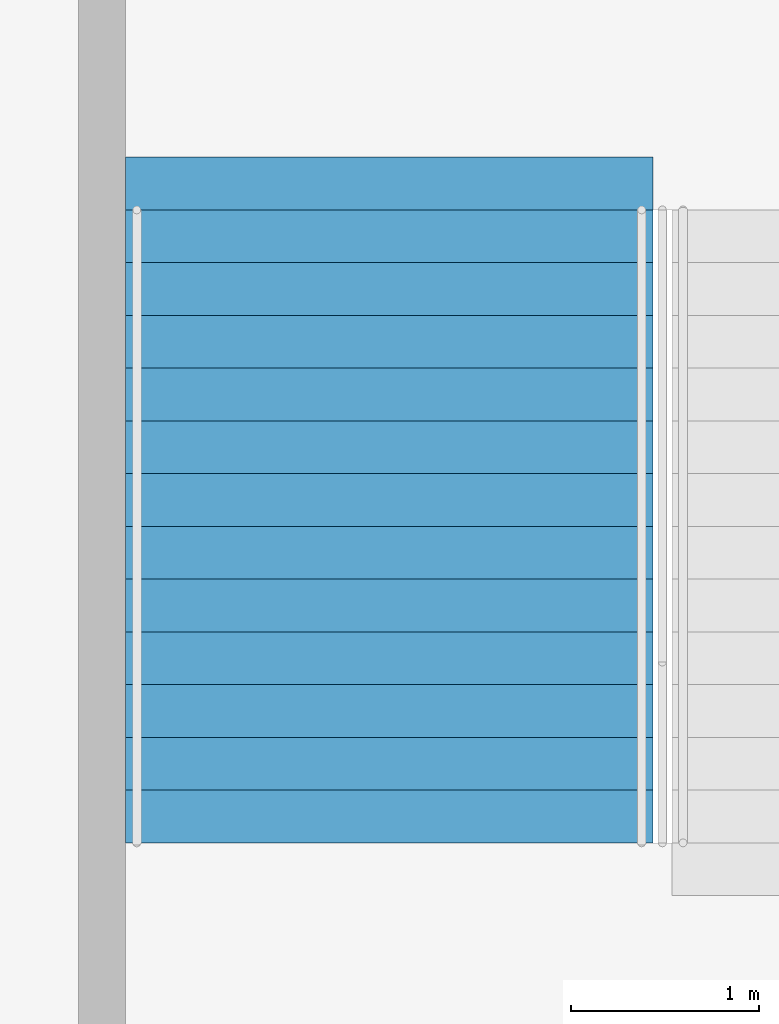
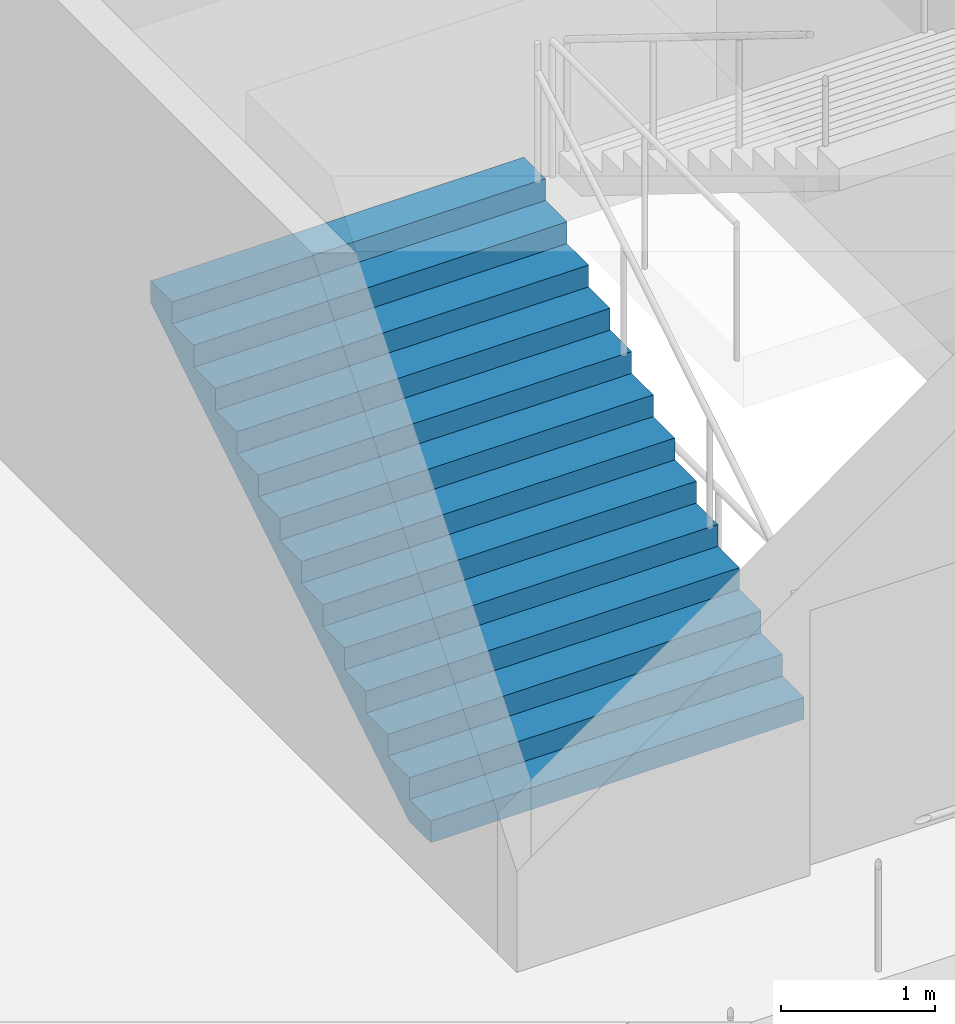
# One storey, part 148 of 177: 1 stair flight, 1 element without a shape of its own.
"""IFC4 building model written with IfcOpenShell, lengths in metres."""

from ifc_helpers import new_model, si_unit, direction, frame, origin, place, context, subcontext, project, spatial, faceted_brep, material, type_object, element, aggregate, save


model = new_model("IFC4")

# Units and contexts
model_context = context("Model", 3, precision=1e-05, world=origin(), true_north=direction((0.0, 1.0)))
body_context = subcontext(model_context, "Body", "Model", "MODEL_VIEW")
ifc_project = project(units=[si_unit("LENGTHUNIT", "METRE"), si_unit("AREAUNIT", "SQUARE_METRE"), si_unit("VOLUMEUNIT", "CUBIC_METRE"), si_unit("PLANEANGLEUNIT", "RADIAN"), si_unit("MASSUNIT", "GRAM", prefix="KILO")], contexts=[model_context])

# Site, building, storey
site_placement = place(None, origin())
site = spatial("IfcSite", under=ifc_project, at=site_placement, CompositionType="ELEMENT")
building_placement = place(site_placement, origin())
building = spatial("IfcBuilding", under=site, at=building_placement, Name="Ogive Plaza Stadium", CompositionType="ELEMENT")
storey_placement = place(building_placement, frame((0.0, 0.0, 18.0)))
storey = spatial("IfcBuildingStorey", under=building, at=storey_placement, Name="L04", CompositionType="ELEMENT", Elevation=18.0)

# Stair, stair flight
ifc_material_1 = material(Name="Concrete C40/50", Category="concrete")
stair_type = type_object("IfcStairType", Name="Exit stair", PredefinedType="STRAIGHT_RUN_STAIR", material=ifc_material_1)
stair_placement = place(storey_placement, origin())
stair = element("IfcStair", 1, at=stair_placement, inside=storey, type_object=stair_type, Name="Exit stair ST36B L04 to L05", PredefinedType="STRAIGHT_RUN_STAIR")
ifc_material_2 = material(Name="Concrete C40/50", Category="concrete")
stair_flight_type = type_object("IfcStairFlightType", Name="Exit stair flight", PredefinedType="STRAIGHT", material=ifc_material_2)
stair_flight_placement = place(storey_placement, frame((15.97509765625, 94.85009765625, 0.0), z_axis=(0.0, 0.0, 1.0), x_axis=(0.0, 1.0, 0.0)))
stair_flight = element("IfcStairFlight", 2, at=stair_flight_placement, type_object=stair_flight_type, Name="ST36B flight 1", NumberOfRisers=13, NumberOfTreads=12, PredefinedType="STRAIGHT", RiserHeight=0.173076923, TreadLength=0.28, context=body_context, shape_type="Brep", body=[
    faceted_brep([(0.28515625, -1.39990234375, 0.0), (3.639892578125, -1.39990234375, 2.07373046875), (3.639892578125, -1.39990234375, 2.25), (3.360107421875, -1.39990234375, 2.25), (3.360107421875, -1.39990234375, 2.076904296875), (3.080078125, -1.39990234375, 2.076904296875), (3.080078125, -1.39990234375, 1.90380859375), (2.800048828125, -1.39990234375, 1.90380859375), (2.800048828125, -1.39990234375, 1.730712890625), (2.52001953125, -1.39990234375, 1.730712890625), (2.52001953125, -1.39990234375, 1.5576171875), (2.239990234375, -1.39990234375, 1.5576171875), (2.239990234375, -1.39990234375, 1.384521484375), (1.9599609375, -1.39990234375, 1.384521484375), (1.9599609375, -1.39990234375, 1.21142578125), (1.679931640625, -1.39990234375, 1.21142578125), (1.679931640625, -1.39990234375, 1.03857421875), (1.39990234375, -1.39990234375, 1.03857421875), (1.39990234375, -1.39990234375, 0.865478515625), (1.1201171875, -1.39990234375, 0.865478515625), (1.1201171875, -1.39990234375, 0.6923828125), (0.840087890625, -1.39990234375, 0.6923828125), (0.840087890625, -1.39990234375, 0.519287109375), (0.56005859375, -1.39990234375, 0.519287109375), (0.56005859375, -1.39990234375, 0.34619140625), (0.280029296875, -1.39990234375, 0.34619140625), (0.280029296875, -1.39990234375, 0.173095703125), (0.0, -1.39990234375, 0.173095703125), (0.0, -1.39990234375, 0.0), (0.0, 1.39990234375, 0.0), (0.0, 1.39990234375, 0.173095703125), (0.280029296875, 1.39990234375, 0.173095703125), (0.280029296875, 1.39990234375, 0.34619140625), (0.56005859375, 1.39990234375, 0.34619140625), (0.56005859375, 1.39990234375, 0.519287109375), (0.840087890625, 1.39990234375, 0.519287109375), (0.840087890625, 1.39990234375, 0.6923828125), (1.1201171875, 1.39990234375, 0.6923828125), (1.1201171875, 1.39990234375, 0.865478515625), (1.39990234375, 1.39990234375, 0.865478515625), (1.39990234375, 1.39990234375, 1.03857421875), (1.679931640625, 1.39990234375, 1.03857421875), (1.679931640625, 1.39990234375, 1.21142578125), (1.9599609375, 1.39990234375, 1.21142578125), (1.9599609375, 1.39990234375, 1.384521484375), (2.239990234375, 1.39990234375, 1.384521484375), (2.239990234375, 1.39990234375, 1.5576171875), (2.52001953125, 1.39990234375, 1.5576171875), (2.52001953125, 1.39990234375, 1.730712890625), (2.800048828125, 1.39990234375, 1.730712890625), (2.800048828125, 1.39990234375, 1.90380859375), (3.080078125, 1.39990234375, 1.90380859375), (3.080078125, 1.39990234375, 2.076904296875), (3.360107421875, 1.39990234375, 2.076904296875), (3.360107421875, 1.39990234375, 2.25), (3.639892578125, 1.39990234375, 2.25), (3.639892578125, 1.39990234375, 2.07373046875), (0.28515625, 1.39990234375, 0.0), (0.28515625, -1.0888671875, 0.0), (3.639892578125, -1.0888671875, 2.07373046875), (0.28515625, -0.77783203125, 0.0), (3.639892578125, -0.77783203125, 2.07373046875), (0.28515625, -0.466796875, 0.0), (3.639892578125, -0.466796875, 2.07373046875), (0.28515625, -0.155517578125, 0.0), (3.639892578125, -0.155517578125, 2.07373046875), (0.28515625, 0.155517578125, 0.0), (3.639892578125, 0.155517578125, 2.07373046875), (0.28515625, 0.466796875, 0.0), (3.639892578125, 0.466796875, 2.07373046875), (0.28515625, 0.77783203125, 0.0), (3.639892578125, 0.77783203125, 2.07373046875), (0.28515625, 1.0888671875, 0.0), (3.639892578125, 1.0888671875, 2.07373046875), (3.639892578125, -1.0888671875, 2.25), (3.639892578125, -0.77783203125, 2.25), (3.639892578125, -0.466796875, 2.25), (3.639892578125, -0.155517578125, 2.25), (3.639892578125, 0.155517578125, 2.25), (3.639892578125, 0.466796875, 2.25), (3.639892578125, 0.77783203125, 2.25), (3.639892578125, 1.0888671875, 2.25), (3.360107421875, -1.0888671875, 2.25), (3.360107421875, -0.77783203125, 2.25), (3.360107421875, -0.466796875, 2.25), (3.360107421875, -0.155517578125, 2.25), (3.360107421875, 0.155517578125, 2.25), (3.360107421875, 0.466796875, 2.25), (3.360107421875, 0.77783203125, 2.25), (3.360107421875, 1.0888671875, 2.25), (3.360107421875, -1.0888671875, 2.076904296875), (3.360107421875, -0.77783203125, 2.076904296875), (3.360107421875, -0.466796875, 2.076904296875), (3.360107421875, -0.155517578125, 2.076904296875), (3.360107421875, 0.155517578125, 2.076904296875), (3.360107421875, 0.466796875, 2.076904296875), (3.360107421875, 0.77783203125, 2.076904296875), (3.360107421875, 1.0888671875, 2.076904296875), (3.080078125, -1.0888671875, 2.076904296875), (3.080078125, -0.77783203125, 2.076904296875), (3.080078125, -0.466796875, 2.076904296875), (3.080078125, -0.155517578125, 2.076904296875), (3.080078125, 0.155517578125, 2.076904296875), (3.080078125, 0.466796875, 2.076904296875), (3.080078125, 0.77783203125, 2.076904296875), (3.080078125, 1.0888671875, 2.076904296875), (3.080078125, -1.0888671875, 1.90380859375), (3.080078125, -0.77783203125, 1.90380859375), (3.080078125, -0.466796875, 1.90380859375), (3.080078125, -0.155517578125, 1.90380859375), (3.080078125, 0.155517578125, 1.90380859375), (3.080078125, 0.466796875, 1.90380859375), (3.080078125, 0.77783203125, 1.90380859375), (3.080078125, 1.0888671875, 1.90380859375), (2.800048828125, -1.0888671875, 1.90380859375), (2.800048828125, -0.77783203125, 1.90380859375), (2.800048828125, -0.466796875, 1.90380859375), (2.800048828125, -0.155517578125, 1.90380859375), (2.800048828125, 0.155517578125, 1.90380859375), (2.800048828125, 0.466796875, 1.90380859375), (2.800048828125, 0.77783203125, 1.90380859375), (2.800048828125, 1.0888671875, 1.90380859375), (2.800048828125, -1.0888671875, 1.730712890625), (2.800048828125, -0.77783203125, 1.730712890625), (2.800048828125, -0.466796875, 1.730712890625), (2.800048828125, -0.155517578125, 1.730712890625), (2.800048828125, 0.155517578125, 1.730712890625), (2.800048828125, 0.466796875, 1.730712890625), (2.800048828125, 0.77783203125, 1.730712890625), (2.800048828125, 1.0888671875, 1.730712890625), (2.52001953125, -1.0888671875, 1.730712890625), (2.52001953125, -0.77783203125, 1.730712890625), (2.52001953125, -0.466796875, 1.730712890625), (2.52001953125, -0.155517578125, 1.730712890625), (2.52001953125, 0.155517578125, 1.730712890625), (2.52001953125, 0.466796875, 1.730712890625), (2.52001953125, 0.77783203125, 1.730712890625), (2.52001953125, 1.0888671875, 1.730712890625), (2.52001953125, -1.0888671875, 1.5576171875), (2.52001953125, -0.77783203125, 1.5576171875), (2.52001953125, -0.466796875, 1.5576171875), (2.52001953125, -0.155517578125, 1.5576171875), (2.52001953125, 0.155517578125, 1.5576171875), (2.52001953125, 0.466796875, 1.5576171875), (2.52001953125, 0.77783203125, 1.5576171875), (2.52001953125, 1.0888671875, 1.5576171875), (2.239990234375, -1.0888671875, 1.5576171875), (2.239990234375, -0.77783203125, 1.5576171875), (2.239990234375, -0.466796875, 1.5576171875), (2.239990234375, -0.155517578125, 1.5576171875), (2.239990234375, 0.155517578125, 1.5576171875), (2.239990234375, 0.466796875, 1.5576171875), (2.239990234375, 0.77783203125, 1.5576171875), (2.239990234375, 1.0888671875, 1.5576171875), (2.239990234375, -1.0888671875, 1.384521484375), (2.239990234375, -0.77783203125, 1.384521484375), (2.239990234375, -0.466796875, 1.384521484375), (2.239990234375, -0.155517578125, 1.384521484375), (2.239990234375, 0.155517578125, 1.384521484375), (2.239990234375, 0.466796875, 1.384521484375), (2.239990234375, 0.77783203125, 1.384521484375), (2.239990234375, 1.0888671875, 1.384521484375), (1.9599609375, -1.0888671875, 1.384521484375), (1.9599609375, -0.77783203125, 1.384521484375), (1.9599609375, -0.466796875, 1.384521484375), (1.9599609375, -0.155517578125, 1.384521484375), (1.9599609375, 0.155517578125, 1.384521484375), (1.9599609375, 0.466796875, 1.384521484375), (1.9599609375, 0.77783203125, 1.384521484375), (1.9599609375, 1.0888671875, 1.384521484375), (1.9599609375, -1.0888671875, 1.21142578125), (1.9599609375, -0.77783203125, 1.21142578125), (1.9599609375, -0.466796875, 1.21142578125), (1.9599609375, -0.155517578125, 1.21142578125), (1.9599609375, 0.155517578125, 1.21142578125), (1.9599609375, 0.466796875, 1.21142578125), (1.9599609375, 0.77783203125, 1.21142578125), (1.9599609375, 1.0888671875, 1.21142578125), (1.679931640625, -1.0888671875, 1.21142578125), (1.679931640625, -0.77783203125, 1.21142578125), (1.679931640625, -0.466796875, 1.21142578125), (1.679931640625, -0.155517578125, 1.21142578125), (1.679931640625, 0.155517578125, 1.21142578125), (1.679931640625, 0.466796875, 1.21142578125), (1.679931640625, 0.77783203125, 1.21142578125), (1.679931640625, 1.0888671875, 1.21142578125), (1.679931640625, -1.0888671875, 1.03857421875), (1.679931640625, -0.77783203125, 1.03857421875), (1.679931640625, -0.466796875, 1.03857421875), (1.679931640625, -0.155517578125, 1.03857421875), (1.679931640625, 0.155517578125, 1.03857421875), (1.679931640625, 0.466796875, 1.03857421875), (1.679931640625, 0.77783203125, 1.03857421875), (1.679931640625, 1.0888671875, 1.03857421875), (1.39990234375, -1.0888671875, 1.03857421875), (1.39990234375, -0.77783203125, 1.03857421875), (1.39990234375, -0.466796875, 1.03857421875), (1.39990234375, -0.155517578125, 1.03857421875), (1.39990234375, 0.155517578125, 1.03857421875), (1.39990234375, 0.466796875, 1.03857421875), (1.39990234375, 0.77783203125, 1.03857421875), (1.39990234375, 1.0888671875, 1.03857421875), (1.39990234375, -1.0888671875, 0.865478515625), (1.39990234375, -0.77783203125, 0.865478515625), (1.39990234375, -0.466796875, 0.865478515625), (1.39990234375, -0.155517578125, 0.865478515625), (1.39990234375, 0.155517578125, 0.865478515625), (1.39990234375, 0.466796875, 0.865478515625), (1.39990234375, 0.77783203125, 0.865478515625), (1.39990234375, 1.0888671875, 0.865478515625), (1.1201171875, -1.0888671875, 0.865478515625), (1.1201171875, -0.77783203125, 0.865478515625), (1.1201171875, -0.466796875, 0.865478515625), (1.1201171875, -0.155517578125, 0.865478515625), (1.1201171875, 0.155517578125, 0.865478515625), (1.1201171875, 0.466796875, 0.865478515625), (1.1201171875, 0.77783203125, 0.865478515625), (1.1201171875, 1.0888671875, 0.865478515625), (1.1201171875, -1.0888671875, 0.6923828125), (1.1201171875, -0.77783203125, 0.6923828125), (1.1201171875, -0.466796875, 0.6923828125), (1.1201171875, -0.155517578125, 0.6923828125), (1.1201171875, 0.155517578125, 0.6923828125), (1.1201171875, 0.466796875, 0.6923828125), (1.1201171875, 0.77783203125, 0.6923828125), (1.1201171875, 1.0888671875, 0.6923828125), (0.840087890625, -1.0888671875, 0.6923828125), (0.840087890625, -0.77783203125, 0.6923828125), (0.840087890625, -0.466796875, 0.6923828125), (0.840087890625, -0.155517578125, 0.6923828125), (0.840087890625, 0.155517578125, 0.6923828125), (0.840087890625, 0.466796875, 0.6923828125), (0.840087890625, 0.77783203125, 0.6923828125), (0.840087890625, 1.0888671875, 0.6923828125), (0.840087890625, -1.0888671875, 0.519287109375), (0.840087890625, -0.77783203125, 0.519287109375), (0.840087890625, -0.466796875, 0.519287109375), (0.840087890625, -0.155517578125, 0.519287109375), (0.840087890625, 0.155517578125, 0.519287109375), (0.840087890625, 0.466796875, 0.519287109375), (0.840087890625, 0.77783203125, 0.519287109375), (0.840087890625, 1.0888671875, 0.519287109375), (0.56005859375, -1.0888671875, 0.519287109375), (0.56005859375, -0.77783203125, 0.519287109375), (0.56005859375, -0.466796875, 0.519287109375), (0.56005859375, -0.155517578125, 0.519287109375), (0.56005859375, 0.155517578125, 0.519287109375), (0.56005859375, 0.466796875, 0.519287109375), (0.56005859375, 0.77783203125, 0.519287109375), (0.56005859375, 1.0888671875, 0.519287109375), (0.56005859375, -1.0888671875, 0.34619140625), (0.56005859375, -0.77783203125, 0.34619140625), (0.56005859375, -0.466796875, 0.34619140625), (0.56005859375, -0.155517578125, 0.34619140625), (0.56005859375, 0.155517578125, 0.34619140625), (0.56005859375, 0.466796875, 0.34619140625), (0.56005859375, 0.77783203125, 0.34619140625), (0.56005859375, 1.0888671875, 0.34619140625), (0.280029296875, -1.0888671875, 0.34619140625), (0.280029296875, -0.77783203125, 0.34619140625), (0.280029296875, -0.466796875, 0.34619140625), (0.280029296875, -0.155517578125, 0.34619140625), (0.280029296875, 0.155517578125, 0.34619140625), (0.280029296875, 0.466796875, 0.34619140625), (0.280029296875, 0.77783203125, 0.34619140625), (0.280029296875, 1.0888671875, 0.34619140625), (0.280029296875, -1.0888671875, 0.173095703125), (0.280029296875, -0.77783203125, 0.173095703125), (0.280029296875, -0.466796875, 0.173095703125), (0.280029296875, -0.155517578125, 0.173095703125), (0.280029296875, 0.155517578125, 0.173095703125), (0.280029296875, 0.466796875, 0.173095703125), (0.280029296875, 0.77783203125, 0.173095703125), (0.280029296875, 1.0888671875, 0.173095703125), (0.0, -1.0888671875, 0.173095703125), (0.0, -0.77783203125, 0.173095703125), (0.0, -0.466796875, 0.173095703125), (0.0, -0.155517578125, 0.173095703125), (0.0, 0.155517578125, 0.173095703125), (0.0, 0.466796875, 0.173095703125), (0.0, 0.77783203125, 0.173095703125), (0.0, 1.0888671875, 0.173095703125), (0.0, -1.0888671875, 0.0), (0.0, -0.77783203125, 0.0), (0.0, -0.466796875, 0.0), (0.0, -0.155517578125, 0.0), (0.0, 0.155517578125, 0.0), (0.0, 0.466796875, 0.0), (0.0, 0.77783203125, 0.0), (0.0, 1.0888671875, 0.0)], [[[0, 1, 2, 3, 4, 5, 6, 7, 8, 9, 10, 11, 12, 13, 14, 15, 16, 17, 18, 19, 20, 21, 22, 23, 24, 25, 26, 27, 28]], [[29, 30, 31, 32, 33, 34, 35, 36, 37, 38, 39, 40, 41, 42, 43, 44, 45, 46, 47, 48, 49, 50, 51, 52, 53, 54, 55, 56, 57]], [[0, 58, 59, 1]], [[58, 60, 61, 59]], [[60, 62, 63, 61]], [[62, 64, 65, 63]], [[64, 66, 67, 65]], [[66, 68, 69, 67]], [[68, 70, 71, 69]], [[70, 72, 73, 71]], [[72, 57, 56, 73]], [[1, 59, 74, 2]], [[59, 61, 75, 74]], [[61, 63, 76, 75]], [[63, 65, 77, 76]], [[65, 67, 78, 77]], [[67, 69, 79, 78]], [[69, 71, 80, 79]], [[71, 73, 81, 80]], [[73, 56, 55, 81]], [[2, 74, 82, 3]], [[74, 75, 83, 82]], [[75, 76, 84, 83]], [[76, 77, 85, 84]], [[77, 78, 86, 85]], [[78, 79, 87, 86]], [[79, 80, 88, 87]], [[80, 81, 89, 88]], [[81, 55, 54, 89]], [[3, 82, 90, 4]], [[82, 83, 91, 90]], [[83, 84, 92, 91]], [[84, 85, 93, 92]], [[85, 86, 94, 93]], [[86, 87, 95, 94]], [[87, 88, 96, 95]], [[88, 89, 97, 96]], [[89, 54, 53, 97]], [[4, 90, 98, 5]], [[90, 91, 99, 98]], [[91, 92, 100, 99]], [[92, 93, 101, 100]], [[93, 94, 102, 101]], [[94, 95, 103, 102]], [[95, 96, 104, 103]], [[96, 97, 105, 104]], [[97, 53, 52, 105]], [[5, 98, 106, 6]], [[98, 99, 107, 106]], [[99, 100, 108, 107]], [[100, 101, 109, 108]], [[101, 102, 110, 109]], [[102, 103, 111, 110]], [[103, 104, 112, 111]], [[104, 105, 113, 112]], [[105, 52, 51, 113]], [[6, 106, 114, 7]], [[106, 107, 115, 114]], [[107, 108, 116, 115]], [[108, 109, 117, 116]], [[109, 110, 118, 117]], [[110, 111, 119, 118]], [[111, 112, 120, 119]], [[112, 113, 121, 120]], [[113, 51, 50, 121]], [[7, 114, 122, 8]], [[114, 115, 123, 122]], [[115, 116, 124, 123]], [[116, 117, 125, 124]], [[117, 118, 126, 125]], [[118, 119, 127, 126]], [[119, 120, 128, 127]], [[120, 121, 129, 128]], [[121, 50, 49, 129]], [[8, 122, 130, 9]], [[122, 123, 131, 130]], [[123, 124, 132, 131]], [[124, 125, 133, 132]], [[125, 126, 134, 133]], [[126, 127, 135, 134]], [[127, 128, 136, 135]], [[128, 129, 137, 136]], [[129, 49, 48, 137]], [[9, 130, 138, 10]], [[130, 131, 139, 138]], [[131, 132, 140, 139]], [[132, 133, 141, 140]], [[133, 134, 142, 141]], [[134, 135, 143, 142]], [[135, 136, 144, 143]], [[136, 137, 145, 144]], [[137, 48, 47, 145]], [[10, 138, 146, 11]], [[138, 139, 147, 146]], [[139, 140, 148, 147]], [[140, 141, 149, 148]], [[141, 142, 150, 149]], [[142, 143, 151, 150]], [[143, 144, 152, 151]], [[144, 145, 153, 152]], [[145, 47, 46, 153]], [[11, 146, 154, 12]], [[146, 147, 155, 154]], [[147, 148, 156, 155]], [[148, 149, 157, 156]], [[149, 150, 158, 157]], [[150, 151, 159, 158]], [[151, 152, 160, 159]], [[152, 153, 161, 160]], [[153, 46, 45, 161]], [[12, 154, 162, 13]], [[154, 155, 163, 162]], [[155, 156, 164, 163]], [[156, 157, 165, 164]], [[157, 158, 166, 165]], [[158, 159, 167, 166]], [[159, 160, 168, 167]], [[160, 161, 169, 168]], [[161, 45, 44, 169]], [[13, 162, 170, 14]], [[162, 163, 171, 170]], [[163, 164, 172, 171]], [[164, 165, 173, 172]], [[165, 166, 174, 173]], [[166, 167, 175, 174]], [[167, 168, 176, 175]], [[168, 169, 177, 176]], [[169, 44, 43, 177]], [[14, 170, 178, 15]], [[170, 171, 179, 178]], [[171, 172, 180, 179]], [[172, 173, 181, 180]], [[173, 174, 182, 181]], [[174, 175, 183, 182]], [[175, 176, 184, 183]], [[176, 177, 185, 184]], [[177, 43, 42, 185]], [[15, 178, 186, 16]], [[178, 179, 187, 186]], [[179, 180, 188, 187]], [[180, 181, 189, 188]], [[181, 182, 190, 189]], [[182, 183, 191, 190]], [[183, 184, 192, 191]], [[184, 185, 193, 192]], [[185, 42, 41, 193]], [[16, 186, 194, 17]], [[186, 187, 195, 194]], [[187, 188, 196, 195]], [[188, 189, 197, 196]], [[189, 190, 198, 197]], [[190, 191, 199, 198]], [[191, 192, 200, 199]], [[192, 193, 201, 200]], [[193, 41, 40, 201]], [[17, 194, 202, 18]], [[194, 195, 203, 202]], [[195, 196, 204, 203]], [[196, 197, 205, 204]], [[197, 198, 206, 205]], [[198, 199, 207, 206]], [[199, 200, 208, 207]], [[200, 201, 209, 208]], [[201, 40, 39, 209]], [[18, 202, 210, 19]], [[202, 203, 211, 210]], [[203, 204, 212, 211]], [[204, 205, 213, 212]], [[205, 206, 214, 213]], [[206, 207, 215, 214]], [[207, 208, 216, 215]], [[208, 209, 217, 216]], [[209, 39, 38, 217]], [[19, 210, 218, 20]], [[210, 211, 219, 218]], [[211, 212, 220, 219]], [[212, 213, 221, 220]], [[213, 214, 222, 221]], [[214, 215, 223, 222]], [[215, 216, 224, 223]], [[216, 217, 225, 224]], [[217, 38, 37, 225]], [[20, 218, 226, 21]], [[218, 219, 227, 226]], [[219, 220, 228, 227]], [[220, 221, 229, 228]], [[221, 222, 230, 229]], [[222, 223, 231, 230]], [[223, 224, 232, 231]], [[224, 225, 233, 232]], [[225, 37, 36, 233]], [[21, 226, 234, 22]], [[226, 227, 235, 234]], [[227, 228, 236, 235]], [[228, 229, 237, 236]], [[229, 230, 238, 237]], [[230, 231, 239, 238]], [[231, 232, 240, 239]], [[232, 233, 241, 240]], [[233, 36, 35, 241]], [[22, 234, 242, 23]], [[234, 235, 243, 242]], [[235, 236, 244, 243]], [[236, 237, 245, 244]], [[237, 238, 246, 245]], [[238, 239, 247, 246]], [[239, 240, 248, 247]], [[240, 241, 249, 248]], [[241, 35, 34, 249]], [[23, 242, 250, 24]], [[242, 243, 251, 250]], [[243, 244, 252, 251]], [[244, 245, 253, 252]], [[245, 246, 254, 253]], [[246, 247, 255, 254]], [[247, 248, 256, 255]], [[248, 249, 257, 256]], [[249, 34, 33, 257]], [[24, 250, 258, 25]], [[250, 251, 259, 258]], [[251, 252, 260, 259]], [[252, 253, 261, 260]], [[253, 254, 262, 261]], [[254, 255, 263, 262]], [[255, 256, 264, 263]], [[256, 257, 265, 264]], [[257, 33, 32, 265]], [[25, 258, 266, 26]], [[258, 259, 267, 266]], [[259, 260, 268, 267]], [[260, 261, 269, 268]], [[261, 262, 270, 269]], [[262, 263, 271, 270]], [[263, 264, 272, 271]], [[264, 265, 273, 272]], [[265, 32, 31, 273]], [[26, 266, 274, 27]], [[266, 267, 275, 274]], [[267, 268, 276, 275]], [[268, 269, 277, 276]], [[269, 270, 278, 277]], [[270, 271, 279, 278]], [[271, 272, 280, 279]], [[272, 273, 281, 280]], [[273, 31, 30, 281]], [[27, 274, 282, 28]], [[274, 275, 283, 282]], [[275, 276, 284, 283]], [[276, 277, 285, 284]], [[277, 278, 286, 285]], [[278, 279, 287, 286]], [[279, 280, 288, 287]], [[280, 281, 289, 288]], [[281, 30, 29, 289]], [[28, 282, 58, 0]], [[282, 283, 60, 58]], [[283, 284, 62, 60]], [[284, 285, 64, 62]], [[285, 286, 66, 64]], [[286, 287, 68, 66]], [[287, 288, 70, 68]], [[288, 289, 72, 70]], [[289, 29, 57, 72]]]),
])
aggregate(stair, [stair_flight])

save(model, "model.ifc")
